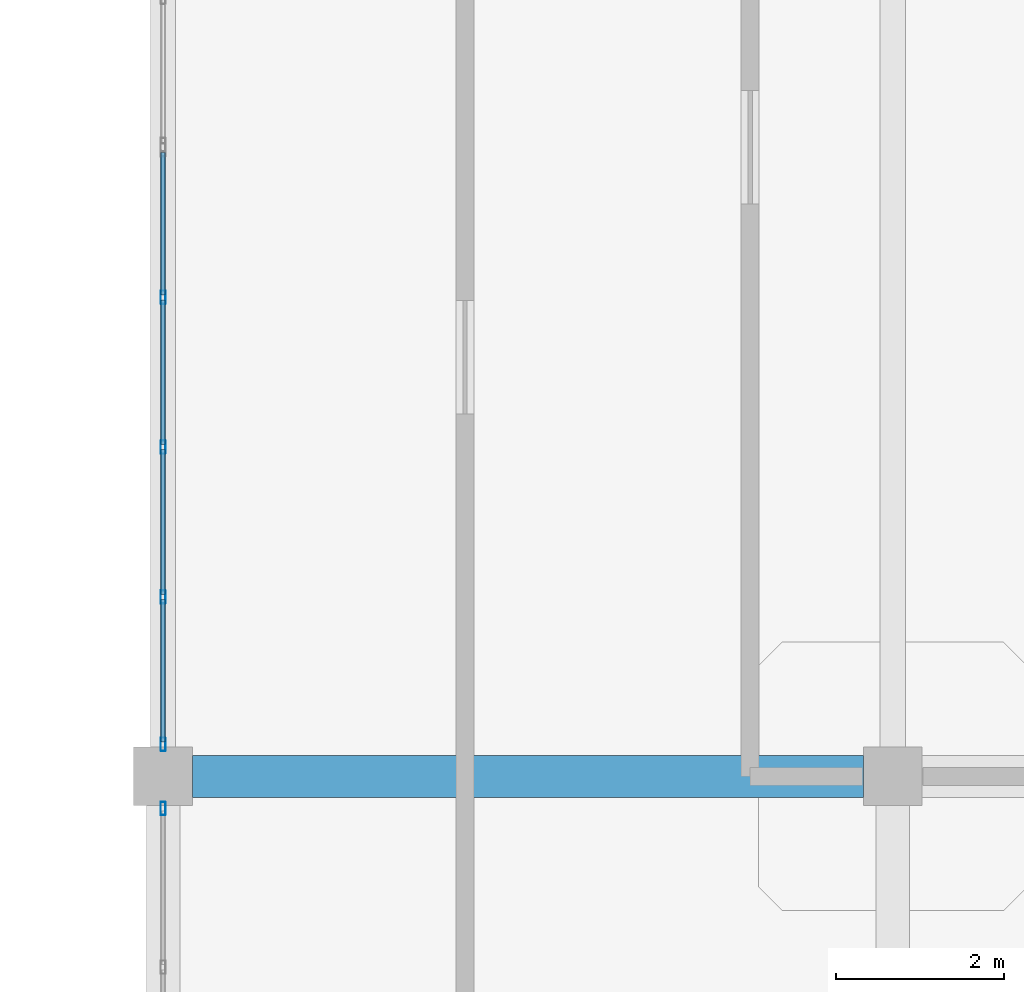
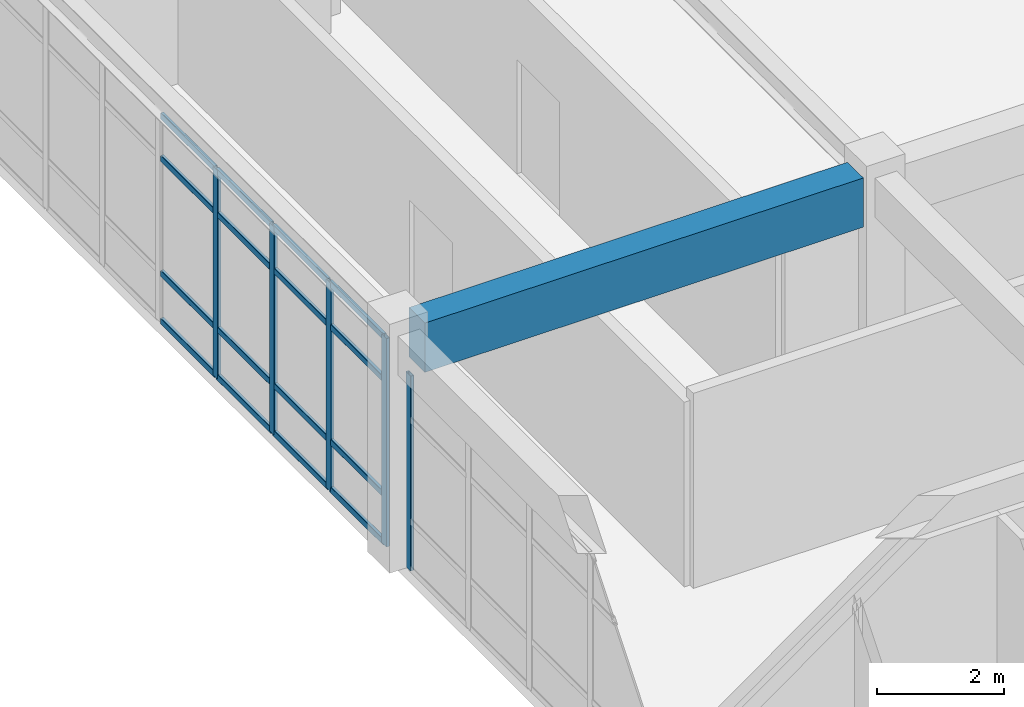
# One storey, part 18 of 64: 21 members, 1 beam, 2 elements without a shape of their own.
"""IFC4 building model written with IfcOpenShell, lengths in metres."""

import ifcopenshell
import ifcopenshell.guid

model = None  # the IFC model being written
_history = None  # IfcOwnerHistory: only IFC2X3 demands one
_inside = {}  # id of a spatial element -> (the spatial element, [elements in it])
_under = {}  # id of a project, library or spatial element -> (it, [spatial elements below it])
_declared = {}  # id of a project -> (the project, [libraries it declares])
_typed = {}  # id of a type object -> (the type object, [elements of that type])
_made_of = {}  # id of a material, layer set ... -> (it, [elements and type objects made of it])


def new_model(schema):
    """Start an empty IFC model of exactly this schema.

    Asked for "IFC4X3", IfcOpenShell would pick the latest addendum, in which some entities
    have other attributes; the version numbers below select the first issue.
    IFC2X3 requires an IfcOwnerHistory on every rooted entity: one is made here for all.
    """
    global model, _history
    if schema == "IFC4X3":
        model = ifcopenshell.file(schema_version=(4, 3, 0, 0))
    else:
        model = ifcopenshell.file(schema=schema)
    _inside.clear()
    _under.clear()
    _declared.clear()
    _typed.clear()
    _made_of.clear()
    _history = None
    if model.schema == "IFC2X3":
        org = make("IfcOrganization", Name="unknown")
        user = make(
            "IfcPersonAndOrganization",
            ThePerson=make("IfcPerson", FamilyName="unknown"),
            TheOrganization=org,
        )
        app = make(
            "IfcApplication",
            ApplicationDeveloper=org,
            Version="unknown",
            ApplicationFullName="unknown",
            ApplicationIdentifier="unknown",
        )
        _history = make(
            "IfcOwnerHistory",
            OwningUser=user,
            OwningApplication=app,
            ChangeAction="ADDED",
            CreationDate=0,
        )
    return model


def make(cls, **values):
    """One entity of the class cls with the attributes given. An attribute that is None is left unset."""
    return model.create_entity(
        cls, **{name: value for name, value in values.items() if value is not None}
    )


def rooted(cls, **values):
    """An entity with a GlobalId (a new one), such as an element, a storey or a relation."""
    return make(cls, GlobalId=ifcopenshell.guid.new(), OwnerHistory=_history, **values)


def si_unit(unit_type, name, prefix=None):
    """IfcSIUnit, for example si_unit("LENGTHUNIT", "METRE", prefix="MILLI")."""
    return make("IfcSIUnit", UnitType=unit_type, Prefix=prefix, Name=name)


def derived_unit(unit_type, elements):
    """IfcDerivedUnit: a product of units, each with its exponent."""
    return make(
        "IfcDerivedUnit",
        Elements=[
            make("IfcDerivedUnitElement", Unit=unit, Exponent=power)
            for unit, power in elements
        ],
        UnitType=unit_type,
    )


def assignment(units):
    """IfcUnitAssignment: the units of a project."""
    return None if units is None else make("IfcUnitAssignment", Units=units)


def point(xyz):
    """IfcCartesianPoint."""
    return None if xyz is None else make("IfcCartesianPoint", Coordinates=xyz)


def direction(xyz):
    """IfcDirection."""
    return None if xyz is None else make("IfcDirection", DirectionRatios=xyz)


def frame(location, z_axis=None, x_axis=None):
    """IfcAxis2Placement3D, a coordinate frame: its origin and axes. An axis left out is left unset."""
    return make(
        "IfcAxis2Placement3D",
        Location=point(location),
        Axis=direction(z_axis),
        RefDirection=direction(x_axis),
    )


def frame_2d(location, x_axis=None):
    """IfcAxis2Placement2D, a coordinate frame in the plane: its origin and x axis."""
    return make(
        "IfcAxis2Placement2D", Location=point(location), RefDirection=direction(x_axis)
    )


def origin():
    """The frame at (0, 0, 0) with its axes left unset."""
    return frame((0.0, 0.0, 0.0))


def origin_2d():
    """The frame at (0, 0) in the plane with its x axis left unset."""
    return frame_2d((0.0, 0.0))


def place(relative_to, where):
    """IfcLocalPlacement: puts the frame where relative to a parent placement (None: the world)."""
    return make(
        "IfcLocalPlacement", PlacementRelTo=relative_to, RelativePlacement=where
    )


def context(
    kind, dimensions, precision=None, world=None, true_north=None, identifier=None
):
    """IfcGeometricRepresentationContext, for example the 3D "Model" context."""
    return make(
        "IfcGeometricRepresentationContext",
        ContextIdentifier=identifier,
        ContextType=kind,
        CoordinateSpaceDimension=dimensions,
        Precision=precision,
        WorldCoordinateSystem=world,
        TrueNorth=true_north,
    )


def subcontext(parent, identifier, kind, view, scale=None):
    """IfcGeometricRepresentationSubContext, for example "Body" below "Model"."""
    return make(
        "IfcGeometricRepresentationSubContext",
        ContextIdentifier=identifier,
        ContextType=kind,
        ParentContext=parent,
        TargetScale=scale,
        TargetView=view,
    )


def project(units=None, contexts=None):
    """IfcProject with its units and contexts."""
    return rooted(
        "IfcProject",
        Name="project",
        RepresentationContexts=contexts,
        UnitsInContext=assignment(units),
    )


def spatial(cls, under=None, at=None, **own):
    """A site, building, storey or space (cls), placed at a placement, below another one or the project."""
    s = rooted(cls, ObjectPlacement=at, **own)
    if under is not None:
        _under.setdefault(under.id(), (under, []))[1].append(s)
    return s


def profile(cls, at=None, kind="AREA", **sizes):
    """A parametric profile (cls). Its sizes go by their IFC names, for example OverallWidth=200.0."""
    return make(cls, ProfileType=kind, Position=at, **sizes)


def rectangle(**sizes):
    """IfcRectangleProfileDef."""
    return profile("IfcRectangleProfileDef", **sizes)


def hollow_rectangle(**sizes):
    """IfcRectangleHollowProfileDef."""
    return profile("IfcRectangleHollowProfileDef", **sizes)


def extrude(swept, where, along, depth):
    """IfcExtrudedAreaSolid: the profile swept, set in the frame where, extruded along a direction by depth."""
    return make(
        "IfcExtrudedAreaSolid",
        SweptArea=swept,
        Position=where,
        ExtrudedDirection=direction(along),
        Depth=depth,
    )


def shape(context_of_items, identifier, shape_type, items):
    """IfcShapeRepresentation: the items that make up one representation, for example the "Body"."""
    return make(
        "IfcShapeRepresentation",
        ContextOfItems=context_of_items,
        RepresentationIdentifier=identifier,
        RepresentationType=shape_type,
        Items=items,
    )


def material(Name=None, Category=None):
    """IfcMaterial."""
    return make("IfcMaterial", Name=Name, Category=Category)


def layer(
    of_material, thickness, ventilated=None, Name=None, Category=None, Priority=None
):
    """IfcMaterialLayer: one layer of a wall or slab, of a material (None: an air gap)."""
    return make(
        "IfcMaterialLayer",
        Material=of_material,
        LayerThickness=thickness,
        IsVentilated=ventilated,
        Name=Name,
        Category=Category,
        Priority=Priority,
    )


def layer_set(layers, Name=None):
    """IfcMaterialLayerSet."""
    return make("IfcMaterialLayerSet", MaterialLayers=layers, LayerSetName=Name)


def material_profile(
    of_material, cross_section, Name=None, Category=None, Priority=None
):
    """IfcMaterialProfile: a cross section and its material."""
    return make(
        "IfcMaterialProfile",
        Name=Name,
        Material=of_material,
        Profile=cross_section,
        Priority=Priority,
        Category=Category,
    )


def profile_set(profiles, Name=None, composite=None):
    """IfcMaterialProfileSet."""
    return make(
        "IfcMaterialProfileSet",
        Name=Name,
        MaterialProfiles=profiles,
        CompositeProfile=composite,
    )


def made_of(thing, what):
    """Note that an element or type object is made of a material, layer set ...; save() writes the relation."""
    if what is not None:
        _made_of.setdefault(what.id(), (what, []))[1].append(thing)
    return thing


def type_object(cls, material=None, **own):
    """A type object (cls), such as IfcWallType, which elements share."""
    return made_of(rooted(cls, **own), material)


def element(
    cls,
    number,
    at=None,
    inside=None,
    cuts=None,
    type_object=None,
    material=None,
    context=None,
    identifier="Body",
    shape_type=None,
    held_by="IfcProductDefinitionShape",
    body=None,
    shapes=None,
    **own,
):
    """One element of the class cls, such as IfcWall. Its Tag is "e" and its number.

    at: its placement. inside: the storey or other place that contains it. cuts: it is an
    opening in that element (IfcRelVoidsElement). A single representation is given by context,
    identifier, shape_type and body (its items); several are given by shapes. held_by: the class
    of the entity that holds the representations. save() writes the other relations.
    """
    e = rooted(cls, Tag="e%d" % number, ObjectPlacement=at, **own)
    if body is not None:
        shapes = [shape(context, identifier, shape_type, body)]
    if shapes is not None:
        e.Representation = make(held_by, Representations=shapes)
    if inside is not None:
        _inside.setdefault(inside.id(), (inside, []))[1].append(e)
    if cuts is not None:
        rooted(
            "IfcRelVoidsElement", RelatingBuildingElement=cuts, RelatedOpeningElement=e
        )
    if type_object is not None:
        _typed.setdefault(type_object.id(), (type_object, []))[1].append(e)
    return made_of(e, material)


def aggregate(whole, parts):
    """IfcRelAggregates: a whole, such as a stair, and the parts it consists of."""
    return rooted("IfcRelAggregates", RelatingObject=whole, RelatedObjects=parts)


def save(model, path):
    """Write the relations noted so far, then the file.

    IfcRelAggregates (storeys below a building ...), IfcRelContainedInSpatialStructure (elements
    in a storey), IfcRelDefinesByType, IfcRelAssociatesMaterial and IfcRelDeclares: one each for
    every whole, place, type object, material and project.
    """
    for whole, parts in _under.values():
        aggregate(whole, parts)
    for where, things in _inside.values():
        rooted(
            "IfcRelContainedInSpatialStructure",
            RelatedElements=things,
            RelatingStructure=where,
        )
    for kind, things in _typed.values():
        rooted("IfcRelDefinesByType", RelatedObjects=things, RelatingType=kind)
    for what, things in _made_of.values():
        rooted("IfcRelAssociatesMaterial", RelatedObjects=things, RelatingMaterial=what)
    for by, libraries in _declared.values():
        rooted("IfcRelDeclares", RelatingContext=by, RelatedDefinitions=libraries)
    model.write(path)


model = new_model("IFC4")

# Units and contexts
model_context = context("Model", 3, precision=1e-05, world=origin(), true_north=direction((0.0, 1.0)))
body_context = subcontext(model_context, "Body", "Model", "MODEL_VIEW")
ifc_project = project(units=[si_unit("LENGTHUNIT", "METRE"), si_unit("AREAUNIT", "SQUARE_METRE"), si_unit("VOLUMEUNIT", "CUBIC_METRE"), si_unit("PLANEANGLEUNIT", "RADIAN"), si_unit("MASSUNIT", "GRAM", prefix="KILO"), derived_unit("THERMALTRANSMITTANCEUNIT", [(si_unit("MASSUNIT", "GRAM", prefix="KILO"), 1), (si_unit("TIMEUNIT", "SECOND"), -3), (si_unit("THERMODYNAMICTEMPERATUREUNIT", "KELVIN"), -1)])], contexts=[model_context])

# Site, building, storey
site_placement = place(None, origin())
site = spatial("IfcSite", under=ifc_project, at=site_placement, CompositionType="ELEMENT")
building_placement = place(site_placement, origin())
building = spatial("IfcBuilding", under=site, at=building_placement, Name="Qinzheling Arcade Emporium", CompositionType="ELEMENT")
storey_placement = place(building_placement, frame((0.0, 0.0, 31.5)))
storey = spatial("IfcBuildingStorey", under=building, at=storey_placement, Name="L07", CompositionType="ELEMENT", Elevation=31.5)

# Curtain wall, member
ifc_material_1 = material(Name="Anodised aluminium and solar-control double glazing", Category="aluminium")
ifc_layer = layer(ifc_material_1, 0.159912109375, Name="Anodised aluminium and solar-control double glazing", Category="aluminium")
ifc_layer_set = layer_set([ifc_layer], Name="Anodised aluminium and solar-control double glazing")
curtain_wall_type = type_object("IfcCurtainWallType", Name="Atrium Clerestory Curtain Wall", PredefinedType="NOTDEFINED", material=ifc_layer_set)
curtain_wall_1_placement = place(storey_placement, origin())
curtain_wall_1 = element("IfcCurtainWall", 1, at=curtain_wall_1_placement, inside=storey, type_object=curtain_wall_type, Name="Curtain Wall CW-L07-414", PredefinedType="NOTDEFINED")
ifc_material_2 = material(Name="Anodised aluminium 6063-T6", Category="aluminium")
ifc_material_profile_1 = material_profile(ifc_material_2, hollow_rectangle(XDim=0.06005859375, YDim=0.159912109375, WallThickness=0.00390625, InnerFilletRadius=0.00390625, OuterFilletRadius=0.008056640625, at=origin_2d()), Name="RHS 160x60x4", Category="aluminium")
ifc_profile_set_1 = profile_set([ifc_material_profile_1], Name="Anodised aluminium 6063-T6")
member_type_1 = type_object("IfcMemberType", Name="Curtain Wall Mullion RHS160x60", PredefinedType="MULLION", material=ifc_profile_set_1)
member_1_placement = place(storey_placement, frame((34.800048828125, 50.01806640625, 0.0), z_axis=(0.0, 0.0, 1.0), x_axis=(-1.0, 0.0, 0.0)))
member_1 = element("IfcMember", 2, at=member_1_placement, type_object=member_type_1, Name="CW03 mullion 5", PredefinedType="MULLION", context=body_context, shape_type="SweptSolid", body=[
    extrude(hollow_rectangle(XDim=0.06005859375, YDim=0.159912109375, WallThickness=0.00390625, InnerFilletRadius=0.00390625, OuterFilletRadius=0.008056640625, at=origin_2d()), origin(), (0.0, 0.0, 1.0), 3.7548828125),
])
aggregate(curtain_wall_1, [member_1])

# Curtain wall, members
curtain_wall_2_placement = place(storey_placement, origin())
curtain_wall_2 = element("IfcCurtainWall", 3, at=curtain_wall_2_placement, inside=storey, type_object=curtain_wall_type, Name="Curtain Wall CW-L07-415", PredefinedType="NOTDEFINED")
member_2_placement = place(storey_placement, frame((34.800048828125, 50.781982421875, 0.0), z_axis=(0.0, 0.0, 1.0), x_axis=(-1.0, 0.0, 0.0)))
member_2 = element("IfcMember", 4, at=member_2_placement, type_object=member_type_1, Name="CW03 mullion 1", PredefinedType="MULLION", context=body_context, shape_type="SweptSolid", body=[
    extrude(hollow_rectangle(XDim=0.06005859375, YDim=0.159912109375, WallThickness=0.00390625, InnerFilletRadius=0.00390625, OuterFilletRadius=0.008056640625, at=origin_2d()), origin(), (0.0, 0.0, 1.0), 4.01708984375),
])
member_3_placement = place(storey_placement, frame((34.800048828125, 52.53857421875, 0.0), z_axis=(0.0, 0.0, 1.0), x_axis=(-1.0, 0.0, 0.0)))
member_3 = element("IfcMember", 5, at=member_3_placement, type_object=member_type_1, Name="CW03 mullion 2", PredefinedType="MULLION", context=body_context, shape_type="SweptSolid", body=[
    extrude(hollow_rectangle(XDim=0.06005859375, YDim=0.159912109375, WallThickness=0.00390625, InnerFilletRadius=0.00390625, OuterFilletRadius=0.008056640625, at=origin_2d()), origin(), (0.0, 0.0, 1.0), 4.01708984375),
])
member_4_placement = place(storey_placement, frame((34.800048828125, 54.324951171875, 0.0), z_axis=(0.0, 0.0, 1.0), x_axis=(-1.0, 0.0, 0.0)))
member_4 = element("IfcMember", 6, at=member_4_placement, type_object=member_type_1, Name="CW03 mullion 3", PredefinedType="MULLION", context=body_context, shape_type="SweptSolid", body=[
    extrude(hollow_rectangle(XDim=0.06005859375, YDim=0.159912109375, WallThickness=0.00390625, InnerFilletRadius=0.00390625, OuterFilletRadius=0.008056640625, at=origin_2d()), origin(), (0.0, 0.0, 1.0), 4.01708984375),
])
member_5_placement = place(storey_placement, frame((34.800048828125, 56.111572265625, 0.0), z_axis=(0.0, 0.0, 1.0), x_axis=(-1.0, 0.0, 0.0)))
member_5 = element("IfcMember", 7, at=member_5_placement, type_object=member_type_1, Name="CW03 mullion 4", PredefinedType="MULLION", context=body_context, shape_type="SweptSolid", body=[
    extrude(hollow_rectangle(XDim=0.06005859375, YDim=0.159912109375, WallThickness=0.00390625, InnerFilletRadius=0.00390625, OuterFilletRadius=0.008056640625, at=origin_2d()), origin(), (0.0, 0.0, 1.0), 4.01708984375),
])
ifc_material_profile_2 = material_profile(ifc_material_2, hollow_rectangle(XDim=0.06005859375, YDim=0.1201171875, WallThickness=0.00390625, InnerFilletRadius=0.00390625, OuterFilletRadius=0.008056640625, at=origin_2d()), Name="RHS 120x60x4", Category="aluminium")
ifc_profile_set_2 = profile_set([ifc_material_profile_2], Name="Anodised aluminium 6063-T6")
member_type_2 = type_object("IfcMemberType", Name="Curtain Wall Transom RHS120x60", PredefinedType="USERDEFINED", material=ifc_profile_set_2)
member_6_placement = place(storey_placement, frame((34.800048828125, 50.81201171875, 0.030029296875), z_axis=(0.0, 1.0, 0.0), x_axis=(-1.0, 0.0, 0.0)))
member_6 = element("IfcMember", 8, at=member_6_placement, type_object=member_type_2, Name="CW03 transom 1.1", ObjectType="TRANSOM", PredefinedType="USERDEFINED", context=body_context, shape_type="SweptSolid", body=[
    extrude(hollow_rectangle(XDim=0.06005859375, YDim=0.1201171875, WallThickness=0.00390625, InnerFilletRadius=0.00390625, OuterFilletRadius=0.008056640625, at=origin_2d()), origin(), (0.0, 0.0, 1.0), 1.696533203125),
])
member_7_placement = place(storey_placement, frame((34.800048828125, 50.81201171875, 0.949951171875), z_axis=(0.0, 1.0, 0.0), x_axis=(-1.0, 0.0, 0.0)))
member_7 = element("IfcMember", 9, at=member_7_placement, type_object=member_type_2, Name="CW03 transom 1.2", ObjectType="TRANSOM", PredefinedType="USERDEFINED", context=body_context, shape_type="SweptSolid", body=[
    extrude(hollow_rectangle(XDim=0.06005859375, YDim=0.1201171875, WallThickness=0.00390625, InnerFilletRadius=0.00390625, OuterFilletRadius=0.008056640625, at=origin_2d()), origin(), (0.0, 0.0, 1.0), 1.696533203125),
])
member_8_placement = place(storey_placement, frame((34.800048828125, 50.81201171875, 3.1669921875), z_axis=(0.0, 1.0, 0.0), x_axis=(-1.0, 0.0, 0.0)))
member_8 = element("IfcMember", 10, at=member_8_placement, type_object=member_type_2, Name="CW03 transom 1.3", ObjectType="TRANSOM", PredefinedType="USERDEFINED", context=body_context, shape_type="SweptSolid", body=[
    extrude(hollow_rectangle(XDim=0.06005859375, YDim=0.1201171875, WallThickness=0.00390625, InnerFilletRadius=0.00390625, OuterFilletRadius=0.008056640625, at=origin_2d()), origin(), (0.0, 0.0, 1.0), 1.696533203125),
])
member_9_placement = place(storey_placement, frame((34.800048828125, 50.81201171875, 3.987060546875), z_axis=(0.0, 1.0, 0.0), x_axis=(-1.0, 0.0, 0.0)))
member_9 = element("IfcMember", 11, at=member_9_placement, type_object=member_type_2, Name="CW03 transom 1.4", ObjectType="TRANSOM", PredefinedType="USERDEFINED", context=body_context, shape_type="SweptSolid", body=[
    extrude(hollow_rectangle(XDim=0.06005859375, YDim=0.1201171875, WallThickness=0.00390625, InnerFilletRadius=0.00390625, OuterFilletRadius=0.008056640625, at=origin_2d()), origin(), (0.0, 0.0, 1.0), 1.696533203125),
])
member_10_placement = place(storey_placement, frame((34.800048828125, 52.568603515625, 0.030029296875), z_axis=(0.0, 1.0, 0.0), x_axis=(-1.0, 0.0, 0.0)))
member_10 = element("IfcMember", 12, at=member_10_placement, type_object=member_type_2, Name="CW03 transom 2.1", ObjectType="TRANSOM", PredefinedType="USERDEFINED", context=body_context, shape_type="SweptSolid", body=[
    extrude(hollow_rectangle(XDim=0.06005859375, YDim=0.1201171875, WallThickness=0.00390625, InnerFilletRadius=0.00390625, OuterFilletRadius=0.008056640625, at=origin_2d()), origin(), (0.0, 0.0, 1.0), 1.726318359375),
])
member_11_placement = place(storey_placement, frame((34.800048828125, 52.568603515625, 0.949951171875), z_axis=(0.0, 1.0, 0.0), x_axis=(-1.0, 0.0, 0.0)))
member_11 = element("IfcMember", 13, at=member_11_placement, type_object=member_type_2, Name="CW03 transom 2.2", ObjectType="TRANSOM", PredefinedType="USERDEFINED", context=body_context, shape_type="SweptSolid", body=[
    extrude(hollow_rectangle(XDim=0.06005859375, YDim=0.1201171875, WallThickness=0.00390625, InnerFilletRadius=0.00390625, OuterFilletRadius=0.008056640625, at=origin_2d()), origin(), (0.0, 0.0, 1.0), 1.726318359375),
])
member_12_placement = place(storey_placement, frame((34.800048828125, 52.568603515625, 3.1669921875), z_axis=(0.0, 1.0, 0.0), x_axis=(-1.0, 0.0, 0.0)))
member_12 = element("IfcMember", 14, at=member_12_placement, type_object=member_type_2, Name="CW03 transom 2.3", ObjectType="TRANSOM", PredefinedType="USERDEFINED", context=body_context, shape_type="SweptSolid", body=[
    extrude(hollow_rectangle(XDim=0.06005859375, YDim=0.1201171875, WallThickness=0.00390625, InnerFilletRadius=0.00390625, OuterFilletRadius=0.008056640625, at=origin_2d()), origin(), (0.0, 0.0, 1.0), 1.726318359375),
])
member_13_placement = place(storey_placement, frame((34.800048828125, 52.568603515625, 3.987060546875), z_axis=(0.0, 1.0, 0.0), x_axis=(-1.0, 0.0, 0.0)))
member_13 = element("IfcMember", 15, at=member_13_placement, type_object=member_type_2, Name="CW03 transom 2.4", ObjectType="TRANSOM", PredefinedType="USERDEFINED", context=body_context, shape_type="SweptSolid", body=[
    extrude(hollow_rectangle(XDim=0.06005859375, YDim=0.1201171875, WallThickness=0.00390625, InnerFilletRadius=0.00390625, OuterFilletRadius=0.008056640625, at=origin_2d()), origin(), (0.0, 0.0, 1.0), 1.726318359375),
])
member_14_placement = place(storey_placement, frame((34.800048828125, 54.35498046875, 0.030029296875), z_axis=(0.0, 1.0, 0.0), x_axis=(-1.0, 0.0, 0.0)))
member_14 = element("IfcMember", 16, at=member_14_placement, type_object=member_type_2, Name="CW03 transom 3.1", ObjectType="TRANSOM", PredefinedType="USERDEFINED", context=body_context, shape_type="SweptSolid", body=[
    extrude(hollow_rectangle(XDim=0.06005859375, YDim=0.1201171875, WallThickness=0.00390625, InnerFilletRadius=0.00390625, OuterFilletRadius=0.008056640625, at=origin_2d()), origin(), (0.0, 0.0, 1.0), 1.7265625),
])
member_15_placement = place(storey_placement, frame((34.800048828125, 54.35498046875, 0.949951171875), z_axis=(0.0, 1.0, 0.0), x_axis=(-1.0, 0.0, 0.0)))
member_15 = element("IfcMember", 17, at=member_15_placement, type_object=member_type_2, Name="CW03 transom 3.2", ObjectType="TRANSOM", PredefinedType="USERDEFINED", context=body_context, shape_type="SweptSolid", body=[
    extrude(hollow_rectangle(XDim=0.06005859375, YDim=0.1201171875, WallThickness=0.00390625, InnerFilletRadius=0.00390625, OuterFilletRadius=0.008056640625, at=origin_2d()), origin(), (0.0, 0.0, 1.0), 1.7265625),
])
member_16_placement = place(storey_placement, frame((34.800048828125, 54.35498046875, 3.1669921875), z_axis=(0.0, 1.0, 0.0), x_axis=(-1.0, 0.0, 0.0)))
member_16 = element("IfcMember", 18, at=member_16_placement, type_object=member_type_2, Name="CW03 transom 3.3", ObjectType="TRANSOM", PredefinedType="USERDEFINED", context=body_context, shape_type="SweptSolid", body=[
    extrude(hollow_rectangle(XDim=0.06005859375, YDim=0.1201171875, WallThickness=0.00390625, InnerFilletRadius=0.00390625, OuterFilletRadius=0.008056640625, at=origin_2d()), origin(), (0.0, 0.0, 1.0), 1.7265625),
])
member_17_placement = place(storey_placement, frame((34.800048828125, 54.35498046875, 3.987060546875), z_axis=(0.0, 1.0, 0.0), x_axis=(-1.0, 0.0, 0.0)))
member_17 = element("IfcMember", 19, at=member_17_placement, type_object=member_type_2, Name="CW03 transom 3.4", ObjectType="TRANSOM", PredefinedType="USERDEFINED", context=body_context, shape_type="SweptSolid", body=[
    extrude(hollow_rectangle(XDim=0.06005859375, YDim=0.1201171875, WallThickness=0.00390625, InnerFilletRadius=0.00390625, OuterFilletRadius=0.008056640625, at=origin_2d()), origin(), (0.0, 0.0, 1.0), 1.7265625),
])
member_18_placement = place(storey_placement, frame((34.800048828125, 56.1416015625, 0.030029296875), z_axis=(0.0, 1.0, 0.0), x_axis=(-1.0, 0.0, 0.0)))
member_18 = element("IfcMember", 20, at=member_18_placement, type_object=member_type_2, Name="CW03 transom 4.1", ObjectType="TRANSOM", PredefinedType="USERDEFINED", context=body_context, shape_type="SweptSolid", body=[
    extrude(hollow_rectangle(XDim=0.06005859375, YDim=0.1201171875, WallThickness=0.00390625, InnerFilletRadius=0.00390625, OuterFilletRadius=0.008056640625, at=origin_2d()), origin(), (0.0, 0.0, 1.0), 1.6962890625),
])
member_19_placement = place(storey_placement, frame((34.800048828125, 56.1416015625, 0.949951171875), z_axis=(0.0, 1.0, 0.0), x_axis=(-1.0, 0.0, 0.0)))
member_19 = element("IfcMember", 21, at=member_19_placement, type_object=member_type_2, Name="CW03 transom 4.2", ObjectType="TRANSOM", PredefinedType="USERDEFINED", context=body_context, shape_type="SweptSolid", body=[
    extrude(hollow_rectangle(XDim=0.06005859375, YDim=0.1201171875, WallThickness=0.00390625, InnerFilletRadius=0.00390625, OuterFilletRadius=0.008056640625, at=origin_2d()), origin(), (0.0, 0.0, 1.0), 1.6962890625),
])
member_20_placement = place(storey_placement, frame((34.800048828125, 56.1416015625, 3.1669921875), z_axis=(0.0, 1.0, 0.0), x_axis=(-1.0, 0.0, 0.0)))
member_20 = element("IfcMember", 22, at=member_20_placement, type_object=member_type_2, Name="CW03 transom 4.3", ObjectType="TRANSOM", PredefinedType="USERDEFINED", context=body_context, shape_type="SweptSolid", body=[
    extrude(hollow_rectangle(XDim=0.06005859375, YDim=0.1201171875, WallThickness=0.00390625, InnerFilletRadius=0.00390625, OuterFilletRadius=0.008056640625, at=origin_2d()), origin(), (0.0, 0.0, 1.0), 1.6962890625),
])
member_21_placement = place(storey_placement, frame((34.800048828125, 56.1416015625, 3.987060546875), z_axis=(0.0, 1.0, 0.0), x_axis=(-1.0, 0.0, 0.0)))
member_21 = element("IfcMember", 23, at=member_21_placement, type_object=member_type_2, Name="CW03 transom 4.4", ObjectType="TRANSOM", PredefinedType="USERDEFINED", context=body_context, shape_type="SweptSolid", body=[
    extrude(hollow_rectangle(XDim=0.06005859375, YDim=0.1201171875, WallThickness=0.00390625, InnerFilletRadius=0.00390625, OuterFilletRadius=0.008056640625, at=origin_2d()), origin(), (0.0, 0.0, 1.0), 1.6962890625),
])
aggregate(curtain_wall_2, [member_2, member_3, member_4, member_5, member_6, member_7, member_8, member_9, member_10, member_11, member_12, member_13, member_14, member_15, member_16, member_17, member_18, member_19, member_20, member_21])

# Beam
ifc_material_3 = material(Name="Concrete C40", Category="concrete")
ifc_material_profile_3 = material_profile(ifc_material_3, rectangle(XDim=0.5, YDim=0.949951171875, at=origin_2d()), Name="RC 500x950", Category="concrete")
ifc_profile_set_3 = profile_set([ifc_material_profile_3], Name="Concrete C40")
beam_type = type_object("IfcBeamType", Name="RC Vault Ring Beam 500x950 C40", PredefinedType="BEAM", material=ifc_profile_set_3)
beam_placement = place(storey_placement, frame((35.14990234375, 50.39990234375, 4.044921875), z_axis=(1.0, 0.0, 0.0), x_axis=(0.0, 1.0, 0.0)))
element("IfcBeam", 24, at=beam_placement, inside=storey, type_object=beam_type, Name="Beam BM-L07-X-G-5", PredefinedType="BEAM", context=body_context, shape_type="SweptSolid", body=[
    extrude(rectangle(XDim=0.5, YDim=0.949951171875, at=origin_2d()), origin(), (0.0, 0.0, 1.0), 8.0),
])

save(model, "model.ifc")
